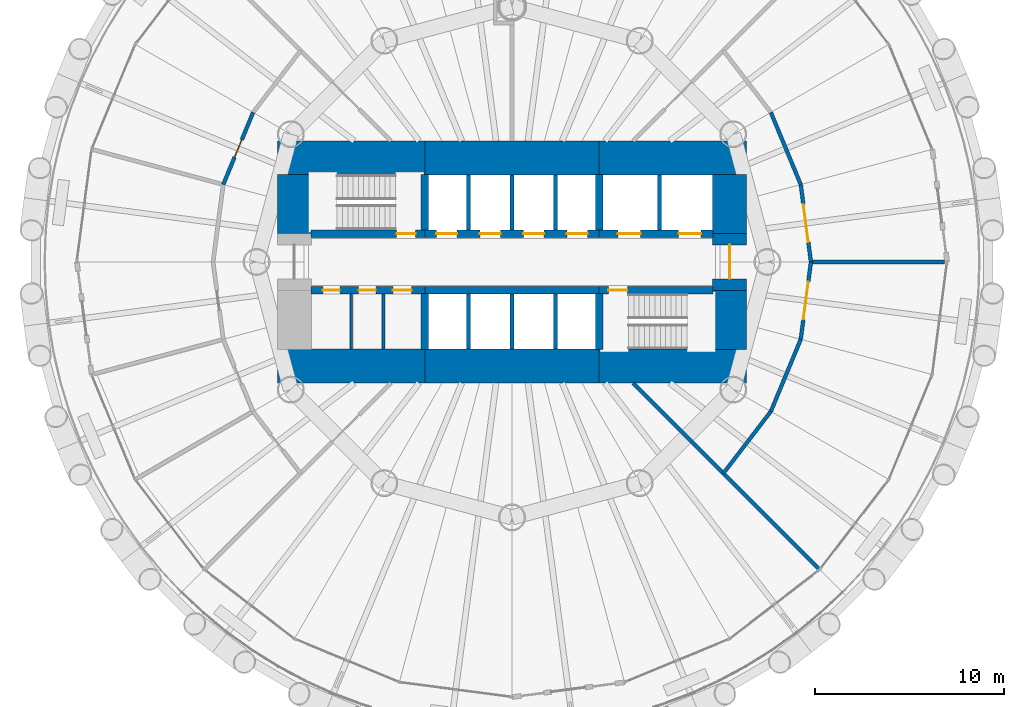
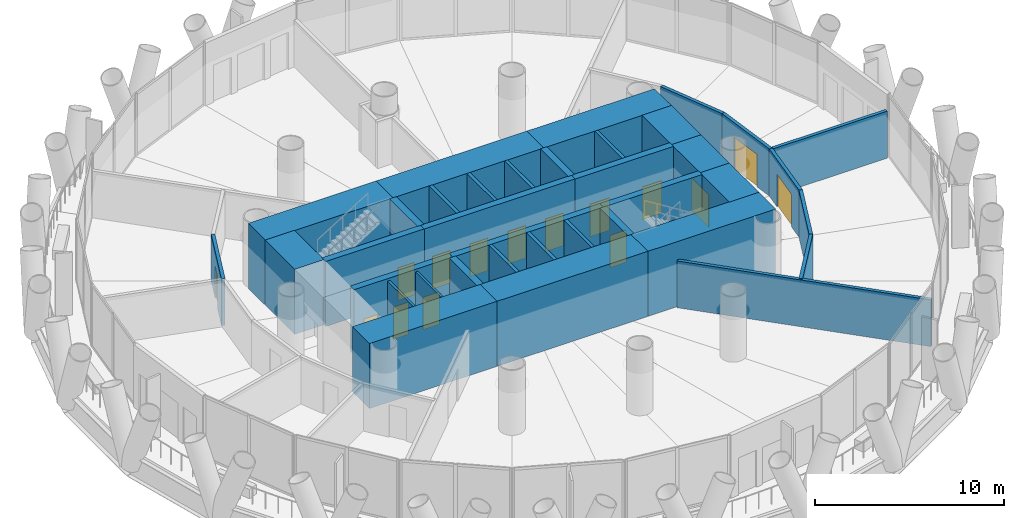
# One storey, part 9 of 14: 37 walls, 15 doors, 15 openings.
"""IFC4 building model written with IfcOpenShell, lengths in metres."""

from ifc_helpers import new_model, si_unit, direction, frame, frame_2d, origin, place, context, subcontext, project, spatial, rectangle, extrude, material, layer, layer_set, type_object, element, fill, save


model = new_model("IFC4")

# Units and contexts
model_context = context("Model", 3, precision=1e-05, world=origin(), true_north=direction((0.0, 1.0)))
body_context = subcontext(model_context, "Body", "Model", "MODEL_VIEW")
ifc_project = project(units=[si_unit("LENGTHUNIT", "METRE"), si_unit("AREAUNIT", "SQUARE_METRE"), si_unit("VOLUMEUNIT", "CUBIC_METRE"), si_unit("PLANEANGLEUNIT", "RADIAN"), si_unit("MASSUNIT", "GRAM", prefix="KILO")], contexts=[model_context])

# Site, building, storey
site_placement = place(None, origin())
site = spatial("IfcSite", under=ifc_project, at=site_placement, CompositionType="ELEMENT")
building_placement = place(site_placement, origin())
building = spatial("IfcBuilding", under=site, at=building_placement, Name="Qaws Media Tower", CompositionType="ELEMENT")
storey_placement = place(building_placement, frame((0.0, 0.0, 68.0)))
storey = spatial("IfcBuildingStorey", under=building, at=storey_placement, Name="L14", CompositionType="ELEMENT", Elevation=68.0)

# Wall, opening, door
ifc_material_1 = material(Name="Concrete C60/75", Category="concrete")
ifc_layer_1 = layer(ifc_material_1, 0.39990234375)
ifc_layer_set_1 = layer_set([ifc_layer_1], Name="Core inner wall 400")
wall_type_1 = type_object("IfcWallType", Name="Core inner wall 400", PredefinedType="SHEAR", material=ifc_layer_set_1)
wall_1_placement = place(storey_placement, frame((49.3798828125, 51.5, 0.0), z_axis=(0.0, 0.0, 1.0), x_axis=(1.0, 0.0, 0.0)))
wall_1 = element("IfcWall", 1, at=wall_1_placement, inside=storey, type_object=wall_type_1, Name="W311 SW4 core wall SPNW L14", PredefinedType="SHEAR", context=body_context, shape_type="SweptSolid", body=[
    extrude(rectangle(XDim=6.02001953125, YDim=0.39990234375, at=frame_2d((3.010009765625, 0.0))), origin(), (0.0, 0.0, 1.0), 4.199951171875),
])
opening_1_placement = place(wall_1_placement, frame((4.52001953125, 0.0, 0.0)))
opening_1 = element("IfcOpeningElement", 2, at=opening_1_placement, cuts=wall_1, Name="Opening D1", PredefinedType="OPENING", context=body_context, shape_type="SweptSolid", body=[
    extrude(rectangle(XDim=1.0, YDim=2.10009765625, at=frame_2d((0.5, 1.050048828125))), frame((0.0, 0.2099609375, 0.0), z_axis=(0.0, -1.0, 0.0), x_axis=(1.0, 0.0, 0.0)), (0.0, 0.0, 1.0), 0.419921875),
])
ifc_material_2 = material(Name="Steel, fire rated", Category="steel")
door_type_1 = type_object("IfcDoorType", Name="Stair door 1000 FD120", OperationType="SINGLE_SWING_LEFT", PredefinedType="DOOR", material=ifc_material_2)
door_1_placement = place(opening_1_placement, origin())
door_1 = element("IfcDoor", 3, at=door_1_placement, inside=storey, type_object=door_type_1, Name="D1 stair S1 door L14 in wall W311", OperationType="SINGLE_SWING_LEFT", OverallHeight=2.10009765625, OverallWidth=1.0, PredefinedType="DOOR", context=body_context, shape_type="SweptSolid", body=[
    extrude(rectangle(XDim=1.0, YDim=2.10009765625, at=frame_2d((0.5, 1.050048828125))), frame((0.0, 0.02490234375, 0.0), z_axis=(0.0, -1.0, 0.0), x_axis=(1.0, 0.0, 0.0)), (0.0, 0.0, 1.0), 0.050048828125),
])
fill(opening_1, door_1)

# Wall, openings, doors
wall_2_placement = place(storey_placement, frame((55.39990234375, 51.5, 0.0), z_axis=(0.0, 0.0, 1.0), x_axis=(1.0, 0.0, 0.0)))
wall_2 = element("IfcWall", 4, at=wall_2_placement, inside=storey, type_object=wall_type_1, Name="W314 SW4 core wall SPN L14", PredefinedType="SHEAR", context=body_context, shape_type="SweptSolid", body=[
    extrude(rectangle(XDim=9.2001953125, YDim=0.39990234375, at=frame_2d((4.60009765625, 0.0))), origin(), (0.0, 0.0, 1.0), 4.199951171875),
])
opening_2_placement = place(wall_2_placement, frame((0.60009765625, 0.0, 0.0)))
opening_2 = element("IfcOpeningElement", 5, at=opening_2_placement, cuts=wall_2, Name="Opening LD", PredefinedType="OPENING", context=body_context, shape_type="SweptSolid", body=[
    extrude(rectangle(XDim=1.10009765625, YDim=2.10009765625, at=frame_2d((0.550048828125, 1.050048828125))), frame((0.0, 0.2099609375, 0.0), z_axis=(0.0, -1.0, 0.0), x_axis=(1.0, 0.0, 0.0)), (0.0, 0.0, 1.0), 0.419921875),
])
opening_3_placement = place(wall_2_placement, frame((2.89990234375, 0.0, 0.0)))
opening_3 = element("IfcOpeningElement", 6, at=opening_3_placement, cuts=wall_2, Name="Opening LD", PredefinedType="OPENING", context=body_context, shape_type="SweptSolid", body=[
    extrude(rectangle(XDim=1.10009765625, YDim=2.10009765625, at=frame_2d((0.550048828125, 1.050048828125))), frame((0.0, 0.2099609375, 0.0), z_axis=(0.0, -1.0, 0.0), x_axis=(1.0, 0.0, 0.0)), (0.0, 0.0, 1.0), 0.419921875),
])
opening_4_placement = place(wall_2_placement, frame((5.199951171875, 0.0, 0.0)))
opening_4 = element("IfcOpeningElement", 7, at=opening_4_placement, cuts=wall_2, Name="Opening LD", PredefinedType="OPENING", context=body_context, shape_type="SweptSolid", body=[
    extrude(rectangle(XDim=1.10009765625, YDim=2.10009765625, at=frame_2d((0.550048828125, 1.050048828125))), frame((0.0, 0.2099609375, 0.0), z_axis=(0.0, -1.0, 0.0), x_axis=(1.0, 0.0, 0.0)), (0.0, 0.0, 1.0), 0.419921875),
])
opening_5_placement = place(wall_2_placement, frame((7.5, 0.0, 0.0)))
opening_5 = element("IfcOpeningElement", 8, at=opening_5_placement, cuts=wall_2, Name="Opening LD", PredefinedType="OPENING", context=body_context, shape_type="SweptSolid", body=[
    extrude(rectangle(XDim=1.10009765625, YDim=2.10009765625, at=frame_2d((0.550048828125, 1.050048828125))), frame((0.0, 0.2099609375, 0.0), z_axis=(0.0, -1.0, 0.0), x_axis=(1.0, 0.0, 0.0)), (0.0, 0.0, 1.0), 0.419921875),
])
ifc_material_3 = material(Name="Steel, fire rated", Category="steel")
door_type_2 = type_object("IfcDoorType", Name="Lift landing door 1100", OperationType="SLIDING_TO_LEFT", PredefinedType="DOOR", material=ifc_material_3)
door_2_placement = place(opening_2_placement, origin())
door_2 = element("IfcDoor", 9, at=door_2_placement, inside=storey, type_object=door_type_2, Name="P1 landing door L14 in wall W314", OperationType="SLIDING_TO_LEFT", OverallHeight=2.10009765625, OverallWidth=1.10009765625, PredefinedType="DOOR", context=body_context, shape_type="SweptSolid", body=[
    extrude(rectangle(XDim=1.10009765625, YDim=2.10009765625, at=frame_2d((0.550048828125, 1.050048828125))), frame((0.0, 0.02490234375, 0.0), z_axis=(0.0, -1.0, 0.0), x_axis=(1.0, 0.0, 0.0)), (0.0, 0.0, 1.0), 0.050048828125),
])
fill(opening_2, door_2)
door_3_placement = place(opening_3_placement, origin())
door_3 = element("IfcDoor", 10, at=door_3_placement, inside=storey, type_object=door_type_2, Name="P2 landing door L14 in wall W314", OperationType="SLIDING_TO_LEFT", OverallHeight=2.10009765625, OverallWidth=1.10009765625, PredefinedType="DOOR", context=body_context, shape_type="SweptSolid", body=[
    extrude(rectangle(XDim=1.10009765625, YDim=2.10009765625, at=frame_2d((0.550048828125, 1.050048828125))), frame((0.0, 0.02490234375, 0.0), z_axis=(0.0, -1.0, 0.0), x_axis=(1.0, 0.0, 0.0)), (0.0, 0.0, 1.0), 0.050048828125),
])
fill(opening_3, door_3)
door_4_placement = place(opening_4_placement, origin())
door_4 = element("IfcDoor", 11, at=door_4_placement, inside=storey, type_object=door_type_2, Name="P3 landing door L14 in wall W314", OperationType="SLIDING_TO_LEFT", OverallHeight=2.10009765625, OverallWidth=1.10009765625, PredefinedType="DOOR", context=body_context, shape_type="SweptSolid", body=[
    extrude(rectangle(XDim=1.10009765625, YDim=2.10009765625, at=frame_2d((0.550048828125, 1.050048828125))), frame((0.0, 0.02490234375, 0.0), z_axis=(0.0, -1.0, 0.0), x_axis=(1.0, 0.0, 0.0)), (0.0, 0.0, 1.0), 0.050048828125),
])
fill(opening_4, door_4)
door_5_placement = place(opening_5_placement, origin())
door_5 = element("IfcDoor", 12, at=door_5_placement, inside=storey, type_object=door_type_2, Name="P4 landing door L14 in wall W314", OperationType="SLIDING_TO_LEFT", OverallHeight=2.10009765625, OverallWidth=1.10009765625, PredefinedType="DOOR", context=body_context, shape_type="SweptSolid", body=[
    extrude(rectangle(XDim=1.10009765625, YDim=2.10009765625, at=frame_2d((0.550048828125, 1.050048828125))), frame((0.0, 0.02490234375, 0.0), z_axis=(0.0, -1.0, 0.0), x_axis=(1.0, 0.0, 0.0)), (0.0, 0.0, 1.0), 0.050048828125),
])
fill(opening_5, door_5)

wall_3_placement = place(storey_placement, frame((64.60009765625, 51.5, 0.0), z_axis=(0.0, 0.0, 1.0), x_axis=(1.0, 0.0, 0.0)))
wall_3 = element("IfcWall", 13, at=wall_3_placement, inside=storey, type_object=wall_type_1, Name="W318 SW4 core wall SPNE L14", PredefinedType="SHEAR", context=body_context, shape_type="SweptSolid", body=[
    extrude(rectangle(XDim=6.02001953125, YDim=0.39990234375, at=frame_2d((3.010009765625, 0.0))), origin(), (0.0, 0.0, 1.0), 4.199951171875),
])
opening_6_placement = place(wall_3_placement, frame((1.0, 0.0, 0.0)))
opening_6 = element("IfcOpeningElement", 14, at=opening_6_placement, cuts=wall_3, Name="Opening LD2", PredefinedType="OPENING", context=body_context, shape_type="SweptSolid", body=[
    extrude(rectangle(XDim=1.199951171875, YDim=2.10009765625, at=frame_2d((0.60009765625, 1.050048828125))), frame((0.0, 0.2099609375, 0.0), z_axis=(0.0, -1.0, 0.0), x_axis=(1.0, 0.0, 0.0)), (0.0, 0.0, 1.0), 0.419921875),
])
opening_7_placement = place(wall_3_placement, frame((4.199951171875, 0.0, 0.0)))
opening_7 = element("IfcOpeningElement", 15, at=opening_7_placement, cuts=wall_3, Name="Opening LD2", PredefinedType="OPENING", context=body_context, shape_type="SweptSolid", body=[
    extrude(rectangle(XDim=1.199951171875, YDim=2.10009765625, at=frame_2d((0.60009765625, 1.050048828125))), frame((0.0, 0.2099609375, 0.0), z_axis=(0.0, -1.0, 0.0), x_axis=(1.0, 0.0, 0.0)), (0.0, 0.0, 1.0), 0.419921875),
])
ifc_material_4 = material(Name="Steel, fire rated", Category="steel")
door_type_3 = type_object("IfcDoorType", Name="Lift landing door 1200", OperationType="SLIDING_TO_LEFT", PredefinedType="DOOR", material=ifc_material_4)
door_6_placement = place(opening_6_placement, origin())
door_6 = element("IfcDoor", 16, at=door_6_placement, inside=storey, type_object=door_type_3, Name="FL1 landing door L14 in wall W318", OperationType="SLIDING_TO_LEFT", OverallHeight=2.10009765625, OverallWidth=1.199951171875, PredefinedType="DOOR", context=body_context, shape_type="SweptSolid", body=[
    extrude(rectangle(XDim=1.199951171875, YDim=2.10009765625, at=frame_2d((0.60009765625, 1.050048828125))), frame((0.0, 0.02490234375, 0.0), z_axis=(0.0, -1.0, 0.0), x_axis=(1.0, 0.0, 0.0)), (0.0, 0.0, 1.0), 0.050048828125),
])
fill(opening_6, door_6)
door_7_placement = place(opening_7_placement, origin())
door_7 = element("IfcDoor", 17, at=door_7_placement, inside=storey, type_object=door_type_3, Name="FL2 landing door L14 in wall W318", OperationType="SLIDING_TO_LEFT", OverallHeight=2.10009765625, OverallWidth=1.199951171875, PredefinedType="DOOR", context=body_context, shape_type="SweptSolid", body=[
    extrude(rectangle(XDim=1.199951171875, YDim=2.10009765625, at=frame_2d((0.60009765625, 1.050048828125))), frame((0.0, 0.02490234375, 0.0), z_axis=(0.0, -1.0, 0.0), x_axis=(1.0, 0.0, 0.0)), (0.0, 0.0, 1.0), 0.050048828125),
])
fill(opening_7, door_7)

wall_4_placement = place(storey_placement, frame((49.3798828125, 48.5, 0.0), z_axis=(0.0, 0.0, 1.0), x_axis=(1.0, 0.0, 0.0)))
wall_4 = element("IfcWall", 18, at=wall_4_placement, inside=storey, type_object=wall_type_1, Name="W310 SW4 core wall SPSW L14", PredefinedType="SHEAR", context=body_context, shape_type="SweptSolid", body=[
    extrude(rectangle(XDim=6.02001953125, YDim=0.39990234375, at=frame_2d((3.010009765625, 0.0))), origin(), (0.0, 0.0, 1.0), 4.199951171875),
])
opening_8_placement = place(wall_4_placement, frame((0.6201171875, 0.0, 0.0)))
opening_8 = element("IfcOpeningElement", 19, at=opening_8_placement, cuts=wall_4, Name="Opening D3", PredefinedType="OPENING", context=body_context, shape_type="SweptSolid", body=[
    extrude(rectangle(XDim=0.89990234375, YDim=2.10009765625, at=frame_2d((0.449951171875, 1.050048828125))), frame((0.0, 0.2099609375, 0.0), z_axis=(0.0, -1.0, 0.0), x_axis=(1.0, 0.0, 0.0)), (0.0, 0.0, 1.0), 0.419921875),
])
opening_9_placement = place(wall_4_placement, frame((2.52001953125, 0.0, 0.0)))
opening_9 = element("IfcOpeningElement", 20, at=opening_9_placement, cuts=wall_4, Name="Opening D3", PredefinedType="OPENING", context=body_context, shape_type="SweptSolid", body=[
    extrude(rectangle(XDim=0.89990234375, YDim=2.10009765625, at=frame_2d((0.449951171875, 1.050048828125))), frame((0.0, 0.2099609375, 0.0), z_axis=(0.0, -1.0, 0.0), x_axis=(1.0, 0.0, 0.0)), (0.0, 0.0, 1.0), 0.419921875),
])
opening_10_placement = place(wall_4_placement, frame((4.320068359375, 0.0, 0.0)))
opening_10 = element("IfcOpeningElement", 21, at=opening_10_placement, cuts=wall_4, Name="Opening D4", PredefinedType="OPENING", context=body_context, shape_type="SweptSolid", body=[
    extrude(rectangle(XDim=1.0, YDim=2.10009765625, at=frame_2d((0.5, 1.050048828125))), frame((0.0, 0.2099609375, 0.0), z_axis=(0.0, -1.0, 0.0), x_axis=(1.0, 0.0, 0.0)), (0.0, 0.0, 1.0), 0.419921875),
])
ifc_material_5 = material(Name="Timber veneered", Category="wood")
door_type_4 = type_object("IfcDoorType", Name="Accessible WC door 1000", OperationType="SLIDING_TO_LEFT", PredefinedType="DOOR", material=ifc_material_5)
door_8_placement = place(opening_10_placement, origin())
door_8 = element("IfcDoor", 22, at=door_8_placement, inside=storey, type_object=door_type_4, Name="D4 toilet door 3 L14 in wall W310", OperationType="SLIDING_TO_LEFT", OverallHeight=2.10009765625, OverallWidth=1.0, PredefinedType="DOOR", context=body_context, shape_type="SweptSolid", body=[
    extrude(rectangle(XDim=1.0, YDim=2.10009765625, at=frame_2d((0.5, 1.050048828125))), frame((0.0, 0.02490234375, 0.0), z_axis=(0.0, -1.0, 0.0), x_axis=(1.0, 0.0, 0.0)), (0.0, 0.0, 1.0), 0.050048828125),
])
fill(opening_10, door_8)
ifc_material_6 = material(Name="Timber veneered", Category="wood")
door_type_5 = type_object("IfcDoorType", Name="Toilet door 900", OperationType="SINGLE_SWING_RIGHT", PredefinedType="DOOR", material=ifc_material_6)
door_9_placement = place(opening_8_placement, origin())
door_9 = element("IfcDoor", 23, at=door_9_placement, inside=storey, type_object=door_type_5, Name="D3 toilet door 1 L14 in wall W310", OperationType="SINGLE_SWING_RIGHT", OverallHeight=2.10009765625, OverallWidth=0.89990234375, PredefinedType="DOOR", context=body_context, shape_type="SweptSolid", body=[
    extrude(rectangle(XDim=0.89990234375, YDim=2.10009765625, at=frame_2d((0.449951171875, 1.050048828125))), frame((0.0, 0.02490234375, 0.0), z_axis=(0.0, -1.0, 0.0), x_axis=(1.0, 0.0, 0.0)), (0.0, 0.0, 1.0), 0.050048828125),
])
fill(opening_8, door_9)
door_10_placement = place(opening_9_placement, origin())
door_10 = element("IfcDoor", 24, at=door_10_placement, inside=storey, type_object=door_type_5, Name="D3 toilet door 2 L14 in wall W310", OperationType="SINGLE_SWING_RIGHT", OverallHeight=2.10009765625, OverallWidth=0.89990234375, PredefinedType="DOOR", context=body_context, shape_type="SweptSolid", body=[
    extrude(rectangle(XDim=0.89990234375, YDim=2.10009765625, at=frame_2d((0.449951171875, 1.050048828125))), frame((0.0, 0.02490234375, 0.0), z_axis=(0.0, -1.0, 0.0), x_axis=(1.0, 0.0, 0.0)), (0.0, 0.0, 1.0), 0.050048828125),
])
fill(opening_9, door_10)

# Wall
wall_5_placement = place(storey_placement, frame((55.39990234375, 48.5, 0.0), z_axis=(0.0, 0.0, 1.0), x_axis=(1.0, 0.0, 0.0)))
element("IfcWall", 25, at=wall_5_placement, inside=storey, type_object=wall_type_1, Name="W313 SW4 core wall SPS L14", PredefinedType="SHEAR", context=body_context, shape_type="SweptSolid", body=[
    extrude(rectangle(XDim=9.2001953125, YDim=0.39990234375, at=frame_2d((4.60009765625, 0.0))), origin(), (0.0, 0.0, 1.0), 4.199951171875),
])

# Wall, opening, door
wall_6_placement = place(storey_placement, frame((64.60009765625, 48.5, 0.0), z_axis=(0.0, 0.0, 1.0), x_axis=(1.0, 0.0, 0.0)))
wall_6 = element("IfcWall", 26, at=wall_6_placement, inside=storey, type_object=wall_type_1, Name="W317 SW4 core wall SPSE L14", PredefinedType="SHEAR", context=body_context, shape_type="SweptSolid", body=[
    extrude(rectangle(XDim=6.02001953125, YDim=0.39990234375, at=frame_2d((3.010009765625, 0.0))), origin(), (0.0, 0.0, 1.0), 4.199951171875),
])
opening_11_placement = place(wall_6_placement, frame((0.5, 0.0, 0.0)))
opening_11 = element("IfcOpeningElement", 27, at=opening_11_placement, cuts=wall_6, Name="Opening D1", PredefinedType="OPENING", context=body_context, shape_type="SweptSolid", body=[
    extrude(rectangle(XDim=1.0, YDim=2.10009765625, at=frame_2d((0.5, 1.050048828125))), frame((0.0, 0.2099609375, 0.0), z_axis=(0.0, -1.0, 0.0), x_axis=(1.0, 0.0, 0.0)), (0.0, 0.0, 1.0), 0.419921875),
])
door_11_placement = place(opening_11_placement, origin())
door_11 = element("IfcDoor", 28, at=door_11_placement, inside=storey, type_object=door_type_1, Name="D1 stair S2 door L14 in wall W317", OperationType="SINGLE_SWING_LEFT", OverallHeight=2.10009765625, OverallWidth=1.0, PredefinedType="DOOR", context=body_context, shape_type="SweptSolid", body=[
    extrude(rectangle(XDim=1.0, YDim=2.10009765625, at=frame_2d((0.5, 1.050048828125))), frame((0.0, 0.02490234375, 0.0), z_axis=(0.0, -1.0, 0.0), x_axis=(1.0, 0.0, 0.0)), (0.0, 0.0, 1.0), 0.050048828125),
])
fill(opening_11, door_11)

# Walls
for number, where, z_axis, x_axis, name in (
    (29, (55.39990234375, 51.679931640625, 0.0), (0.0, 0.0, 1.0), (0.0, 1.0, 0.0), "W315 SW4 core wall XNW L14"),
    (30, (64.60009765625, 51.679931640625, 0.0), (0.0, 0.0, 1.0), (0.0, 1.0, 0.0), "W319 SW4 core wall XNE L14"),
    (31, (55.39990234375, 48.320068359375, 0.0), (0.0, 0.0, 1.0), (0.0, -1.0, 0.0), "W312 SW4 core wall XSW L14"),
    (32, (64.60009765625, 48.320068359375, 0.0), (0.0, 0.0, 1.0), (0.0, -1.0, 0.0), "W316 SW4 core wall XSE L14"),
):
    element("IfcWall", number, at=place(storey_placement, frame(where, z_axis=z_axis, x_axis=x_axis)), inside=storey, type_object=wall_type_1, Name=name, PredefinedType="SHEAR", context=body_context, shape_type="SweptSolid", body=[
        extrude(rectangle(XDim=2.940185546875, YDim=0.39990234375, at=frame_2d((1.47021484375, 0.0))), origin(), (0.0, 0.0, 1.0), 4.199951171875),
    ])
ifc_material_7 = material(Name="Concrete C60/75", Category="concrete")
ifc_layer_2 = layer(ifc_material_7, 1.800048828125)
ifc_layer_set_2 = layer_set([ifc_layer_2], Name="Core wall 1800")
wall_type_2 = type_object("IfcWallType", Name="Core wall 1800", PredefinedType="SHEAR", material=ifc_layer_set_2)
wall_7_placement = place(storey_placement, frame((47.60009765625, 55.5, 0.0), z_axis=(0.0, 0.0, 1.0), x_axis=(1.0, 0.0, 0.0)))
element("IfcWall", 33, at=wall_7_placement, inside=storey, type_object=wall_type_2, Name="W399 SW11 core wall NW L14", PredefinedType="SHEAR", context=body_context, shape_type="SweptSolid", body=[
    extrude(rectangle(XDim=7.7998046875, YDim=1.800048828125, at=frame_2d((3.89990234375, 0.0))), origin(), (0.0, 0.0, 1.0), 4.199951171875),
])
wall_8_placement = place(storey_placement, frame((55.39990234375, 55.5, 0.0), z_axis=(0.0, 0.0, 1.0), x_axis=(1.0, 0.0, 0.0)))
element("IfcWall", 34, at=wall_8_placement, inside=storey, type_object=wall_type_2, Name="W404 SW11 core wall N L14", PredefinedType="SHEAR", context=body_context, shape_type="SweptSolid", body=[
    extrude(rectangle(XDim=9.2001953125, YDim=1.800048828125, at=frame_2d((4.60009765625, 0.0))), origin(), (0.0, 0.0, 1.0), 4.199951171875),
])
for number, where, z_axis, x_axis, name in (
    (35, (64.60009765625, 55.5, 0.0), (0.0, 0.0, 1.0), (1.0, 0.0, 0.0), "W406 SW11 core wall NE L14"),
    (36, (47.60009765625, 44.5, 0.0), (0.0, 0.0, 1.0), (1.0, 0.0, 0.0), "W398 SW11 core wall SW L14"),
):
    element("IfcWall", number, at=place(storey_placement, frame(where, z_axis=z_axis, x_axis=x_axis)), inside=storey, type_object=wall_type_2, Name=name, PredefinedType="SHEAR", context=body_context, shape_type="SweptSolid", body=[
        extrude(rectangle(XDim=7.7998046875, YDim=1.800048828125, at=frame_2d((3.89990234375, 0.0))), origin(), (0.0, 0.0, 1.0), 4.199951171875),
    ])
wall_9_placement = place(storey_placement, frame((55.39990234375, 44.5, 0.0), z_axis=(0.0, 0.0, 1.0), x_axis=(1.0, 0.0, 0.0)))
element("IfcWall", 37, at=wall_9_placement, inside=storey, type_object=wall_type_2, Name="W403 SW11 core wall S L14", PredefinedType="SHEAR", context=body_context, shape_type="SweptSolid", body=[
    extrude(rectangle(XDim=9.2001953125, YDim=1.800048828125, at=frame_2d((4.60009765625, 0.0))), origin(), (0.0, 0.0, 1.0), 4.199951171875),
])
wall_10_placement = place(storey_placement, frame((64.60009765625, 44.5, 0.0), z_axis=(0.0, 0.0, 1.0), x_axis=(1.0, 0.0, 0.0)))
element("IfcWall", 38, at=wall_10_placement, inside=storey, type_object=wall_type_2, Name="W405 SW11 core wall SE L14", PredefinedType="SHEAR", context=body_context, shape_type="SweptSolid", body=[
    extrude(rectangle(XDim=7.7998046875, YDim=1.800048828125, at=frame_2d((3.89990234375, 0.0))), origin(), (0.0, 0.0, 1.0), 4.199951171875),
])
wall_11_placement = place(storey_placement, frame((71.5, 45.3798828125, 0.0), z_axis=(0.0, 0.0, 1.0), x_axis=(0.0, 1.0, 0.0)))
element("IfcWall", 39, at=wall_11_placement, inside=storey, type_object=wall_type_2, Name="W407 SW11 core wall ES L14", PredefinedType="SHEAR", context=body_context, shape_type="SweptSolid", body=[
    extrude(rectangle(XDim=3.1201171875, YDim=1.800048828125, at=frame_2d((1.56005859375, 0.0))), origin(), (0.0, 0.0, 1.0), 4.199951171875),
])

# Wall, opening, door
wall_12_placement = place(storey_placement, frame((71.5, 48.5, 0.0), z_axis=(0.0, 0.0, 1.0), x_axis=(0.0, 1.0, 0.0)))
wall_12 = element("IfcWall", 40, at=wall_12_placement, inside=storey, type_object=wall_type_2, Name="W408 SW11 core wall E L14", PredefinedType="SHEAR", context=body_context, shape_type="SweptSolid", body=[
    extrude(rectangle(XDim=3.0, YDim=1.800048828125, at=frame_2d((1.5, 0.0))), origin(), (0.0, 0.0, 1.0), 4.199951171875),
])
opening_12_placement = place(wall_12_placement, frame((0.60009765625, 0.0, 0.0)))
opening_12 = element("IfcOpeningElement", 41, at=opening_12_placement, cuts=wall_12, Name="Opening D2", PredefinedType="OPENING", context=body_context, shape_type="SweptSolid", body=[
    extrude(rectangle(XDim=1.800048828125, YDim=2.10009765625, at=frame_2d((0.89990234375, 1.050048828125))), frame((0.0, 0.909912109375, 0.0), z_axis=(0.0, -1.0, 0.0), x_axis=(1.0, 0.0, 0.0)), (0.0, 0.0, 1.0), 1.820068359375),
])
ifc_material_8 = material(Name="Steel and glass, fire rated", Category="steel")
door_type_6 = type_object("IfcDoorType", Name="Lobby door pair 1800 FD60", OperationType="DOUBLE_DOOR_DOUBLE_SWING", PredefinedType="DOOR", material=ifc_material_8)
door_12_placement = place(opening_12_placement, origin())
door_12 = element("IfcDoor", 42, at=door_12_placement, inside=storey, type_object=door_type_6, Name="D2 core lobby door E L14 in wall W408", OperationType="DOUBLE_DOOR_DOUBLE_SWING", OverallHeight=2.10009765625, OverallWidth=1.800048828125, PredefinedType="DOOR", context=body_context, shape_type="SweptSolid", body=[
    extrude(rectangle(XDim=1.800048828125, YDim=2.10009765625, at=frame_2d((0.89990234375, 1.050048828125))), frame((0.0, 0.02490234375, 0.0), z_axis=(0.0, -1.0, 0.0), x_axis=(1.0, 0.0, 0.0)), (0.0, 0.0, 1.0), 0.050048828125),
])
fill(opening_12, door_12)

# Walls
for number, where, z_axis, x_axis, name in (
    (43, (71.5, 51.5, 0.0), (0.0, 0.0, 1.0), (0.0, 1.0, 0.0), "W409 SW11 core wall EN L14"),
    (44, (48.5, 51.5, 0.0), (0.0, 0.0, 1.0), (0.0, 1.0, 0.0), "W402 SW11 core wall WN L14"),
):
    element("IfcWall", number, at=place(storey_placement, frame(where, z_axis=z_axis, x_axis=x_axis)), inside=storey, type_object=wall_type_2, Name=name, PredefinedType="SHEAR", context=body_context, shape_type="SweptSolid", body=[
        extrude(rectangle(XDim=3.1201171875, YDim=1.800048828125, at=frame_2d((1.56005859375, 0.0))), origin(), (0.0, 0.0, 1.0), 4.199951171875),
    ])

# Wall, opening, door
ifc_material_9 = material(Name="Gypsum board on galvanised metal studs, acoustic double stud, deflection head", Category="gypsum")
ifc_layer_3 = layer(ifc_material_9, 0.199951171875)
ifc_layer_set_3 = layer_set([ifc_layer_3], Name="Room partition 200")
wall_type_3 = type_object("IfcWallType", Name="Room partition 200", PredefinedType="PARTITIONING", material=ifc_layer_set_3)
wall_13_placement = place(storey_placement, frame((44.73828125, 54.08935546875, 0.0), z_axis=(0.0, 0.0, 1.0), x_axis=(0.382731667114, 0.923859551549, 0.0)))
wall_13 = element("IfcWall", 45, at=wall_13_placement, inside=storey, type_object=wall_type_3, Name="W944 IW3 partition L14", PredefinedType="PARTITIONING", context=body_context, shape_type="SweptSolid", body=[
    extrude(rectangle(XDim=4.12451171875, YDim=0.199951171875, at=frame_2d((2.062255859375, 0.0))), origin(), (0.0, 0.0, 1.0), 3.0400390625),
])
opening_13_placement = place(wall_13_placement, frame((1.562255859375, 0.0, 0.0)))
opening_13 = element("IfcOpeningElement", 46, at=opening_13_placement, cuts=wall_13, Name="Opening D5", PredefinedType="OPENING", context=body_context, shape_type="SweptSolid", body=[
    extrude(rectangle(XDim=1.0, YDim=2.10009765625, at=frame_2d((0.5, 1.050048828125))), frame((0.0, 0.10986328125, 0.0), z_axis=(0.0, -1.0, 0.0), x_axis=(1.0, 0.0, 0.0)), (0.0, 0.0, 1.0), 0.219970703125),
])
ifc_material_10 = material(Name="Timber veneered, acoustic seal", Category="wood")
door_type_7 = type_object("IfcDoorType", Name="Room door 1000", OperationType="SINGLE_SWING_LEFT", PredefinedType="DOOR", material=ifc_material_10)
door_13_placement = place(opening_13_placement, origin())
door_13 = element("IfcDoor", 47, at=door_13_placement, inside=storey, type_object=door_type_7, Name="D5 Graphics studio door L14 in wall W944", OperationType="SINGLE_SWING_LEFT", OverallHeight=2.10009765625, OverallWidth=1.0, PredefinedType="DOOR", context=body_context, shape_type="SweptSolid", body=[
    extrude(rectangle(XDim=1.0, YDim=2.10009765625, at=frame_2d((0.5, 1.050048828125))), frame((0.0, 0.02490234375, 0.0), z_axis=(0.0, -1.0, 0.0), x_axis=(1.0, 0.0, 0.0)), (0.0, 0.0, 1.0), 0.050048828125),
])
fill(opening_13, door_13)

# Wall
wall_14_placement = place(storey_placement, frame((73.68310546875, 57.89990234375, 0.0), z_axis=(0.0, 0.0, 1.0), x_axis=(0.382731667114, -0.923859551549, 0.0)))
element("IfcWall", 48, at=wall_14_placement, inside=storey, type_object=wall_type_3, Name="W956 IW3 partition L14", PredefinedType="PARTITIONING", context=body_context, shape_type="SweptSolid", body=[
    extrude(rectangle(XDim=4.12451171875, YDim=0.199951171875, at=frame_2d((2.062255859375, 0.0))), origin(), (0.0, 0.0, 1.0), 3.0400390625),
])

# Wall, opening, door
wall_15_placement = place(storey_placement, frame((75.26171875, 54.08935546875, 0.0), z_axis=(0.0, 0.0, 1.0), x_axis=(0.130515758099, -0.991446234996, 0.0)))
wall_15 = element("IfcWall", 49, at=wall_15_placement, inside=storey, type_object=wall_type_3, Name="W958 IW3 partition L14", PredefinedType="PARTITIONING", context=body_context, shape_type="SweptSolid", body=[
    extrude(rectangle(XDim=4.124755859375, YDim=0.199951171875, at=frame_2d((2.0625, 0.0))), origin(), (0.0, 0.0, 1.0), 3.0400390625),
])
opening_14_placement = place(wall_15_placement, frame((1.062255859375, 0.0, 0.0)))
opening_14 = element("IfcOpeningElement", 50, at=opening_14_placement, cuts=wall_15, Name="Opening D6", PredefinedType="OPENING", context=body_context, shape_type="SweptSolid", body=[
    extrude(rectangle(XDim=2.0, YDim=2.10009765625, at=frame_2d((1.0, 1.050048828125))), frame((0.0, 0.10986328125, 0.0), z_axis=(0.0, -1.0, 0.0), x_axis=(1.0, 0.0, 0.0)), (0.0, 0.0, 1.0), 0.219970703125),
])
ifc_material_11 = material(Name="Steel, acoustic, fire rated", Category="steel")
door_type_8 = type_object("IfcDoorType", Name="Room door pair 2000", OperationType="DOUBLE_DOOR_DOUBLE_SWING", PredefinedType="DOOR", material=ifc_material_11)
door_14_placement = place(opening_14_placement, origin())
door_14 = element("IfcDoor", 51, at=door_14_placement, inside=storey, type_object=door_type_8, Name="D6 Digital desk door L14 in wall W958", OperationType="DOUBLE_DOOR_DOUBLE_SWING", OverallHeight=2.10009765625, OverallWidth=2.0, PredefinedType="DOOR", context=body_context, shape_type="SweptSolid", body=[
    extrude(rectangle(XDim=2.0, YDim=2.10009765625, at=frame_2d((1.0, 1.050048828125))), frame((0.0, 0.02490234375, 0.0), z_axis=(0.0, -1.0, 0.0), x_axis=(1.0, 0.0, 0.0)), (0.0, 0.0, 1.0), 0.050048828125),
])
fill(opening_14, door_14)

wall_16_placement = place(storey_placement, frame((75.800048828125, 50.0, 0.0), z_axis=(0.0, 0.0, 1.0), x_axis=(-0.130515758099, -0.991446234996, 0.0)))
wall_16 = element("IfcWall", 52, at=wall_16_placement, inside=storey, type_object=wall_type_3, Name="W959 IW3 partition L14", PredefinedType="PARTITIONING", context=body_context, shape_type="SweptSolid", body=[
    extrude(rectangle(XDim=4.124755859375, YDim=0.199951171875, at=frame_2d((2.0625, 0.0))), origin(), (0.0, 0.0, 1.0), 3.0400390625),
])
opening_15_placement = place(wall_16_placement, frame((1.062255859375, 0.0, 0.0)))
opening_15 = element("IfcOpeningElement", 53, at=opening_15_placement, cuts=wall_16, Name="Opening D6", PredefinedType="OPENING", context=body_context, shape_type="SweptSolid", body=[
    extrude(rectangle(XDim=2.0, YDim=2.10009765625, at=frame_2d((1.0, 1.050048828125))), frame((0.0, 0.10986328125, 0.0), z_axis=(0.0, -1.0, 0.0), x_axis=(1.0, 0.0, 0.0)), (0.0, 0.0, 1.0), 0.219970703125),
])
door_15_placement = place(opening_15_placement, origin())
door_15 = element("IfcDoor", 54, at=door_15_placement, inside=storey, type_object=door_type_8, Name="D6 Media lab door L14 in wall W959", OperationType="DOUBLE_DOOR_DOUBLE_SWING", OverallHeight=2.10009765625, OverallWidth=2.0, PredefinedType="DOOR", context=body_context, shape_type="SweptSolid", body=[
    extrude(rectangle(XDim=2.0, YDim=2.10009765625, at=frame_2d((1.0, 1.050048828125))), frame((0.0, 0.02490234375, 0.0), z_axis=(0.0, -1.0, 0.0), x_axis=(1.0, 0.0, 0.0)), (0.0, 0.0, 1.0), 0.050048828125),
])
fill(opening_15, door_15)

# Walls
wall_17_placement = place(storey_placement, frame((75.26171875, 45.91064453125, 0.0), z_axis=(0.0, 0.0, 1.0), x_axis=(-0.382731667114, -0.923859551549, 0.0)))
element("IfcWall", 55, at=wall_17_placement, inside=storey, type_object=wall_type_3, Name="W957 IW3 partition L14", PredefinedType="PARTITIONING", context=body_context, shape_type="SweptSolid", body=[
    extrude(rectangle(XDim=4.12451171875, YDim=0.199951171875, at=frame_2d((2.062255859375, 0.0))), origin(), (0.0, 0.0, 1.0), 3.0400390625),
])
wall_18_placement = place(storey_placement, frame((73.68310546875, 42.10009765625, 0.0), z_axis=(0.0, 0.0, 1.0), x_axis=(-0.608714823874, -0.793389099494, 0.0)))
element("IfcWall", 56, at=wall_18_placement, inside=storey, type_object=wall_type_3, Name="W954 IW3 partition L14", PredefinedType="PARTITIONING", context=body_context, shape_type="SweptSolid", body=[
    extrude(rectangle(XDim=4.124755859375, YDim=0.199951171875, at=frame_2d((2.0625, 0.0))), origin(), (0.0, 0.0, 1.0), 3.0400390625),
])
wall_19_placement = place(storey_placement, frame((75.800048828125, 50.0, 0.0), z_axis=(0.0, 0.0, 1.0), x_axis=(1.0, 0.0, 0.0)))
element("IfcWall", 57, at=wall_19_placement, inside=storey, type_object=wall_type_3, Name="W1079 IW3 partition L14", PredefinedType="PARTITIONING", context=body_context, shape_type="SweptSolid", body=[
    extrude(rectangle(XDim=7.06005859375, YDim=0.199951171875, at=frame_2d((3.530029296875, 0.0))), origin(), (0.0, 0.0, 1.0), 3.0400390625),
])
wall_20_placement = place(storey_placement, frame((66.39990234375, 43.60009765625, 0.0), z_axis=(0.0, 0.0, 1.0), x_axis=(0.707106781187, -0.707106781187, 0.0)))
element("IfcWall", 58, at=wall_20_placement, inside=storey, type_object=wall_type_3, Name="W1077 IW3 partition L14", PredefinedType="PARTITIONING", context=body_context, shape_type="SweptSolid", body=[
    extrude(rectangle(XDim=13.9091796875, YDim=0.199951171875, at=frame_2d((6.95458984375, 0.0))), origin(), (0.0, 0.0, 1.0), 3.02001953125),
])
ifc_material_12 = material(Name="Fire-rated gypsum board shaft wall on galvanised metal studs, deflection head", Category="gypsum")
ifc_layer_4 = layer(ifc_material_12, 0.199951171875)
ifc_layer_set_4 = layer_set([ifc_layer_4], Name="Shaft wall 200")
wall_type_4 = type_object("IfcWallType", Name="Shaft wall 200", PredefinedType="PARTITIONING", material=ifc_layer_set_4)
for number, where, z_axis, x_axis, name in (
    (59, (57.699951171875, 51.699951171875, 0.0), (0.0, 0.0, 1.0), (0.0, 1.0, 0.0), "W1842 IW1 shaft wall N1 L14"),
    (60, (60.0, 51.699951171875, 0.0), (0.0, 0.0, 1.0), (0.0, 1.0, 0.0), "W1843 IW1 shaft wall N2 L14"),
    (61, (62.300048828125, 51.699951171875, 0.0), (0.0, 0.0, 1.0), (0.0, 1.0, 0.0), "W1844 IW1 shaft wall N3 L14"),
    (62, (57.699951171875, 45.39990234375, 0.0), (0.0, 0.0, 1.0), (0.0, 1.0, 0.0), "W1835 IW1 shaft wall S1 L14"),
    (63, (60.0, 45.39990234375, 0.0), (0.0, 0.0, 1.0), (0.0, 1.0, 0.0), "W1837 IW1 shaft wall S2 L14"),
    (64, (62.300048828125, 45.39990234375, 0.0), (0.0, 0.0, 1.0), (0.0, 1.0, 0.0), "W1839 IW1 shaft wall S3 L14"),
    (65, (67.800048828125, 51.699951171875, 0.0), (0.0, 0.0, 1.0), (0.0, 1.0, 0.0), "W1845 IW1 shaft wall FL L14"),
):
    element("IfcWall", number, at=place(storey_placement, frame(where, z_axis=z_axis, x_axis=x_axis)), inside=storey, type_object=wall_type_4, Name=name, PredefinedType="PARTITIONING", context=body_context, shape_type="SweptSolid", body=[
        extrude(rectangle(XDim=2.900146484375, YDim=0.199951171875, at=frame_2d((1.4501953125, 0.0))), origin(), (0.0, 0.0, 1.0), 4.199951171875),
    ])
ifc_material_13 = material(Name="Gypsum board on galvanised metal studs, deflection head", Category="gypsum")
ifc_layer_5 = layer(ifc_material_13, 0.14990234375)
ifc_layer_set_5 = layer_set([ifc_layer_5], Name="WC partition 150")
wall_type_5 = type_object("IfcWallType", Name="WC partition 150", PredefinedType="PARTITIONING", material=ifc_layer_set_5)
for number, where, z_axis, x_axis, name in (
    (66, (51.5, 45.39990234375, 0.0), (0.0, 0.0, 1.0), (0.0, 1.0, 0.0), "W1900 IW2 toilet partition 1 L14"),
    (67, (53.199951171875, 45.39990234375, 0.0), (0.0, 0.0, 1.0), (0.0, 1.0, 0.0), "W1901 IW2 toilet partition 2 L14"),
):
    element("IfcWall", number, at=place(storey_placement, frame(where, z_axis=z_axis, x_axis=x_axis)), inside=storey, type_object=wall_type_5, Name=name, PredefinedType="PARTITIONING", context=body_context, shape_type="SweptSolid", body=[
        extrude(rectangle(XDim=2.900146484375, YDim=0.14990234375, at=frame_2d((1.4501953125, 0.0))), origin(), (0.0, 0.0, 1.0), 4.0400390625),
    ])

save(model, "model.ifc")
